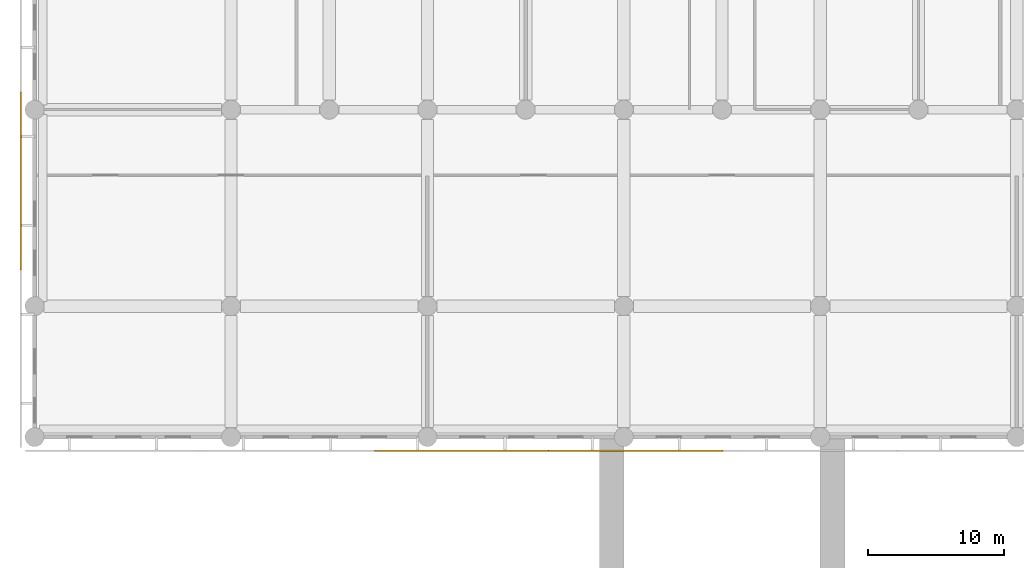
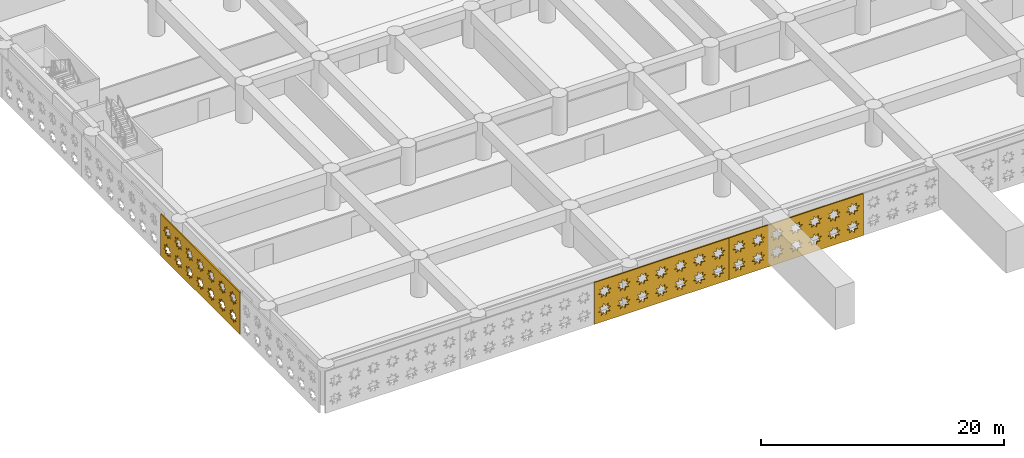
# One storey, part 12 of 23: 3 coverings.
"""IFC4 building model written with IfcOpenShell, lengths in metres."""

from ifc_helpers import new_model, si_unit, direction, frame, origin, place, context, subcontext, project, spatial, polyline, outline, extrude, material, layer, layer_set, type_object, element, save


model = new_model("IFC4")

# Units and contexts
model_context = context("Model", 3, precision=1e-05, world=origin(), true_north=direction((0.0, 1.0)))
body_context = subcontext(model_context, "Body", "Model", "MODEL_VIEW")
ifc_project = project(units=[si_unit("LENGTHUNIT", "METRE"), si_unit("AREAUNIT", "SQUARE_METRE"), si_unit("VOLUMEUNIT", "CUBIC_METRE"), si_unit("PLANEANGLEUNIT", "RADIAN"), si_unit("MASSUNIT", "GRAM", prefix="KILO")], contexts=[model_context])

# Site, building, storey
site_placement = place(None, origin())
site = spatial("IfcSite", under=ifc_project, at=site_placement, CompositionType="ELEMENT")
building_placement = place(site_placement, origin())
building = spatial("IfcBuilding", under=site, at=building_placement, Name="Saffron Iwan Residences", CompositionType="ELEMENT")
storey_placement = place(building_placement, frame((0.0, 0.0, 17.39990234375)))
storey = spatial("IfcBuildingStorey", under=building, at=storey_placement, Name="L03", CompositionType="ELEMENT", Elevation=17.39990234375)

# Coverings
ifc_material = material(Name="Terracotta screen, precast concrete C40/50", Category="masonry")
ifc_layer = layer(ifc_material, 0.1201171875)
ifc_layer_set = layer_set([ifc_layer], Name="Terracotta screen, precast concrete C40/50")
covering_type = type_object("IfcCoveringType", Name="PODIUM SCREEN GIRIH", PredefinedType="CLADDING", material=ifc_layer_set)
covering_1_placement = place(storey_placement, frame((24.905029296875, 8.64990234375, -0.39990234375), z_axis=(0.0, -1.0, 0.0), x_axis=(1.0, 0.0, 0.0)))
element("IfcCovering", 1, at=covering_1_placement, inside=storey, type_object=covering_type, Name="SCREEN girih terracotta L03 F0.2", PredefinedType="CLADDING", context=body_context, shape_type="SweptSolid", body=[
    extrude(outline(polyline([(0.0, 0.0), (12.777587890625, 0.0), (12.777587890625, 4.199951171875), (0.0, 4.199951171875), (0.0, 0.0)]), holes=[polyline([(1.5966796875, 1.321044921875), (1.271484375, 1.388916015625), (1.333251953125, 1.715576171875), (1.05517578125, 1.533447265625), (0.867919921875, 1.80810546875), (0.7998046875, 1.482666015625), (0.47314453125, 1.54443359375), (0.6552734375, 1.266357421875), (0.380615234375, 1.0791015625), (0.7060546875, 1.010986328125), (0.644287109375, 0.6845703125), (0.92236328125, 0.866455078125), (1.109619140625, 0.591796875), (1.177490234375, 0.917236328125), (1.50439453125, 0.85546875), (1.322265625, 1.1337890625), (1.5966796875, 1.321044921875)]), polyline([(1.5966796875, 3.12109375), (1.271484375, 3.18896484375), (1.333251953125, 3.515380859375), (1.05517578125, 3.33349609375), (0.867919921875, 3.608154296875), (0.7998046875, 3.28271484375), (0.47314453125, 3.344482421875), (0.6552734375, 3.06640625), (0.380615234375, 2.87890625), (0.7060546875, 2.81103515625), (0.644287109375, 2.484619140625), (0.92236328125, 2.66650390625), (1.109619140625, 2.391845703125), (1.177490234375, 2.71728515625), (1.50439453125, 2.655517578125), (1.322265625, 2.93359375), (1.5966796875, 3.12109375)]), polyline([(3.396728515625, 1.321044921875), (3.0712890625, 1.388916015625), (3.13330078125, 1.715576171875), (2.85498046875, 1.533447265625), (2.667724609375, 1.80810546875), (2.599853515625, 1.482666015625), (2.273193359375, 1.54443359375), (2.455322265625, 1.266357421875), (2.1806640625, 1.0791015625), (2.506103515625, 1.010986328125), (2.4443359375, 0.6845703125), (2.722412109375, 0.866455078125), (2.90966796875, 0.591796875), (2.9775390625, 0.917236328125), (3.30419921875, 0.85546875), (3.122314453125, 1.1337890625), (3.396728515625, 1.321044921875)]), polyline([(3.396728515625, 3.12109375), (3.0712890625, 3.18896484375), (3.13330078125, 3.515380859375), (2.85498046875, 3.33349609375), (2.667724609375, 3.608154296875), (2.599853515625, 3.28271484375), (2.273193359375, 3.344482421875), (2.455322265625, 3.06640625), (2.1806640625, 2.87890625), (2.506103515625, 2.81103515625), (2.4443359375, 2.484619140625), (2.722412109375, 2.66650390625), (2.90966796875, 2.391845703125), (2.9775390625, 2.71728515625), (3.30419921875, 2.655517578125), (3.122314453125, 2.93359375), (3.396728515625, 3.12109375)]), polyline([(5.19677734375, 1.321044921875), (4.871337890625, 1.388916015625), (4.93310546875, 1.715576171875), (4.655029296875, 1.533447265625), (4.4677734375, 1.80810546875), (4.39990234375, 1.482666015625), (4.0732421875, 1.54443359375), (4.25537109375, 1.266357421875), (3.980712890625, 1.0791015625), (4.30615234375, 1.010986328125), (4.244384765625, 0.6845703125), (4.5224609375, 0.866455078125), (4.709716796875, 0.591796875), (4.777587890625, 0.917236328125), (5.104248046875, 0.85546875), (4.922119140625, 1.1337890625), (5.19677734375, 1.321044921875)]), polyline([(5.19677734375, 3.12109375), (4.871337890625, 3.18896484375), (4.93310546875, 3.515380859375), (4.655029296875, 3.33349609375), (4.4677734375, 3.608154296875), (4.39990234375, 3.28271484375), (4.0732421875, 3.344482421875), (4.25537109375, 3.06640625), (3.980712890625, 2.87890625), (4.30615234375, 2.81103515625), (4.244384765625, 2.484619140625), (4.5224609375, 2.66650390625), (4.709716796875, 2.391845703125), (4.777587890625, 2.71728515625), (5.104248046875, 2.655517578125), (4.922119140625, 2.93359375), (5.19677734375, 3.12109375)]), polyline([(6.996826171875, 1.321044921875), (6.67138671875, 1.388916015625), (6.733154296875, 1.715576171875), (6.455078125, 1.533447265625), (6.267822265625, 1.80810546875), (6.199951171875, 1.482666015625), (5.873291015625, 1.54443359375), (6.055419921875, 1.266357421875), (5.78076171875, 1.0791015625), (6.106201171875, 1.010986328125), (6.044189453125, 0.6845703125), (6.322509765625, 0.866455078125), (6.509765625, 0.591796875), (6.57763671875, 0.917236328125), (6.904296875, 0.85546875), (6.72216796875, 1.1337890625), (6.996826171875, 1.321044921875)]), polyline([(6.996826171875, 3.12109375), (6.67138671875, 3.18896484375), (6.733154296875, 3.515380859375), (6.455078125, 3.33349609375), (6.267822265625, 3.608154296875), (6.199951171875, 3.28271484375), (5.873291015625, 3.344482421875), (6.055419921875, 3.06640625), (5.78076171875, 2.87890625), (6.106201171875, 2.81103515625), (6.044189453125, 2.484619140625), (6.322509765625, 2.66650390625), (6.509765625, 2.391845703125), (6.57763671875, 2.71728515625), (6.904296875, 2.655517578125), (6.72216796875, 2.93359375), (6.996826171875, 3.12109375)]), polyline([(8.796875, 1.321044921875), (8.471435546875, 1.388916015625), (8.533203125, 1.715576171875), (8.255126953125, 1.533447265625), (8.06787109375, 1.80810546875), (8.0, 1.482666015625), (7.673095703125, 1.54443359375), (7.855224609375, 1.266357421875), (7.580810546875, 1.0791015625), (7.906005859375, 1.010986328125), (7.84423828125, 0.6845703125), (8.122314453125, 0.866455078125), (8.309814453125, 0.591796875), (8.377685546875, 0.917236328125), (8.704345703125, 0.85546875), (8.522216796875, 1.1337890625), (8.796875, 1.321044921875)]), polyline([(8.796875, 3.12109375), (8.471435546875, 3.18896484375), (8.533203125, 3.515380859375), (8.255126953125, 3.33349609375), (8.06787109375, 3.608154296875), (8.0, 3.28271484375), (7.673095703125, 3.344482421875), (7.855224609375, 3.06640625), (7.580810546875, 2.87890625), (7.906005859375, 2.81103515625), (7.84423828125, 2.484619140625), (8.122314453125, 2.66650390625), (8.309814453125, 2.391845703125), (8.377685546875, 2.71728515625), (8.704345703125, 2.655517578125), (8.522216796875, 2.93359375), (8.796875, 3.12109375)]), polyline([(10.5966796875, 1.321044921875), (10.271484375, 1.388916015625), (10.333251953125, 1.715576171875), (10.05517578125, 1.533447265625), (9.867919921875, 1.80810546875), (9.7998046875, 1.482666015625), (9.47314453125, 1.54443359375), (9.6552734375, 1.266357421875), (9.380615234375, 1.0791015625), (9.7060546875, 1.010986328125), (9.644287109375, 0.6845703125), (9.92236328125, 0.866455078125), (10.109619140625, 0.591796875), (10.177490234375, 0.917236328125), (10.50439453125, 0.85546875), (10.322265625, 1.1337890625), (10.5966796875, 1.321044921875)]), polyline([(10.5966796875, 3.12109375), (10.271484375, 3.18896484375), (10.333251953125, 3.515380859375), (10.05517578125, 3.33349609375), (9.867919921875, 3.608154296875), (9.7998046875, 3.28271484375), (9.47314453125, 3.344482421875), (9.6552734375, 3.06640625), (9.380615234375, 2.87890625), (9.7060546875, 2.81103515625), (9.644287109375, 2.484619140625), (9.92236328125, 2.66650390625), (10.109619140625, 2.391845703125), (10.177490234375, 2.71728515625), (10.50439453125, 2.655517578125), (10.322265625, 2.93359375), (10.5966796875, 3.12109375)]), polyline([(12.396728515625, 1.321044921875), (12.0712890625, 1.388916015625), (12.13330078125, 1.715576171875), (11.85498046875, 1.533447265625), (11.667724609375, 1.80810546875), (11.599853515625, 1.482666015625), (11.273193359375, 1.54443359375), (11.455322265625, 1.266357421875), (11.1806640625, 1.0791015625), (11.506103515625, 1.010986328125), (11.4443359375, 0.6845703125), (11.722412109375, 0.866455078125), (11.90966796875, 0.591796875), (11.9775390625, 0.917236328125), (12.30419921875, 0.85546875), (12.122314453125, 1.1337890625), (12.396728515625, 1.321044921875)]), polyline([(12.396728515625, 3.12109375), (12.0712890625, 3.18896484375), (12.13330078125, 3.515380859375), (11.85498046875, 3.33349609375), (11.667724609375, 3.608154296875), (11.599853515625, 3.28271484375), (11.273193359375, 3.344482421875), (11.455322265625, 3.06640625), (11.1806640625, 2.87890625), (11.506103515625, 2.81103515625), (11.4443359375, 2.484619140625), (11.722412109375, 2.66650390625), (11.90966796875, 2.391845703125), (11.9775390625, 2.71728515625), (12.30419921875, 2.655517578125), (12.122314453125, 2.93359375), (12.396728515625, 3.12109375)])]), origin(), (0.0, 0.0, 1.0), 0.119873046875),
])
covering_2_placement = place(storey_placement, frame((37.6826171875, 8.64990234375, -0.39990234375), z_axis=(0.0, -1.0, 0.0), x_axis=(1.0, 0.0, 0.0)))
element("IfcCovering", 2, at=covering_2_placement, inside=storey, type_object=covering_type, Name="SCREEN girih terracotta L03 F0.3", PredefinedType="CLADDING", context=body_context, shape_type="SweptSolid", body=[
    extrude(outline(polyline([(0.0, 0.0), (12.777587890625, 0.0), (12.777587890625, 4.199951171875), (0.0, 4.199951171875), (0.0, 0.0)]), holes=[polyline([(1.5966796875, 1.321044921875), (1.271484375, 1.388916015625), (1.333251953125, 1.715576171875), (1.05517578125, 1.533447265625), (0.867919921875, 1.80810546875), (0.7998046875, 1.482666015625), (0.47314453125, 1.54443359375), (0.6552734375, 1.266357421875), (0.380615234375, 1.0791015625), (0.7060546875, 1.010986328125), (0.644287109375, 0.6845703125), (0.92236328125, 0.866455078125), (1.109619140625, 0.591796875), (1.177490234375, 0.917236328125), (1.50439453125, 0.85546875), (1.322265625, 1.1337890625), (1.5966796875, 1.321044921875)]), polyline([(1.5966796875, 3.12109375), (1.271484375, 3.18896484375), (1.333251953125, 3.515380859375), (1.05517578125, 3.33349609375), (0.867919921875, 3.608154296875), (0.7998046875, 3.28271484375), (0.47314453125, 3.344482421875), (0.6552734375, 3.06640625), (0.380615234375, 2.87890625), (0.7060546875, 2.81103515625), (0.644287109375, 2.484619140625), (0.92236328125, 2.66650390625), (1.109619140625, 2.391845703125), (1.177490234375, 2.71728515625), (1.50439453125, 2.655517578125), (1.322265625, 2.93359375), (1.5966796875, 3.12109375)]), polyline([(3.396728515625, 1.321044921875), (3.0712890625, 1.388916015625), (3.13330078125, 1.715576171875), (2.85498046875, 1.533447265625), (2.667724609375, 1.80810546875), (2.599853515625, 1.482666015625), (2.273193359375, 1.54443359375), (2.455322265625, 1.266357421875), (2.1806640625, 1.0791015625), (2.506103515625, 1.010986328125), (2.4443359375, 0.6845703125), (2.722412109375, 0.866455078125), (2.90966796875, 0.591796875), (2.9775390625, 0.917236328125), (3.30419921875, 0.85546875), (3.122314453125, 1.1337890625), (3.396728515625, 1.321044921875)]), polyline([(3.396728515625, 3.12109375), (3.0712890625, 3.18896484375), (3.13330078125, 3.515380859375), (2.85498046875, 3.33349609375), (2.667724609375, 3.608154296875), (2.599853515625, 3.28271484375), (2.273193359375, 3.344482421875), (2.455322265625, 3.06640625), (2.1806640625, 2.87890625), (2.506103515625, 2.81103515625), (2.4443359375, 2.484619140625), (2.722412109375, 2.66650390625), (2.90966796875, 2.391845703125), (2.9775390625, 2.71728515625), (3.30419921875, 2.655517578125), (3.122314453125, 2.93359375), (3.396728515625, 3.12109375)]), polyline([(5.19677734375, 1.321044921875), (4.871337890625, 1.388916015625), (4.93310546875, 1.715576171875), (4.655029296875, 1.533447265625), (4.4677734375, 1.80810546875), (4.39990234375, 1.482666015625), (4.0732421875, 1.54443359375), (4.25537109375, 1.266357421875), (3.980712890625, 1.0791015625), (4.30615234375, 1.010986328125), (4.244384765625, 0.6845703125), (4.5224609375, 0.866455078125), (4.709716796875, 0.591796875), (4.777587890625, 0.917236328125), (5.104248046875, 0.85546875), (4.922119140625, 1.1337890625), (5.19677734375, 1.321044921875)]), polyline([(5.19677734375, 3.12109375), (4.871337890625, 3.18896484375), (4.93310546875, 3.515380859375), (4.655029296875, 3.33349609375), (4.4677734375, 3.608154296875), (4.39990234375, 3.28271484375), (4.0732421875, 3.344482421875), (4.25537109375, 3.06640625), (3.980712890625, 2.87890625), (4.30615234375, 2.81103515625), (4.244384765625, 2.484619140625), (4.5224609375, 2.66650390625), (4.709716796875, 2.391845703125), (4.777587890625, 2.71728515625), (5.104248046875, 2.655517578125), (4.922119140625, 2.93359375), (5.19677734375, 3.12109375)]), polyline([(6.996826171875, 1.321044921875), (6.67138671875, 1.388916015625), (6.733154296875, 1.715576171875), (6.455078125, 1.533447265625), (6.267822265625, 1.80810546875), (6.199951171875, 1.482666015625), (5.873291015625, 1.54443359375), (6.055419921875, 1.266357421875), (5.78076171875, 1.0791015625), (6.106201171875, 1.010986328125), (6.044189453125, 0.6845703125), (6.322509765625, 0.866455078125), (6.509765625, 0.591796875), (6.57763671875, 0.917236328125), (6.904296875, 0.85546875), (6.72216796875, 1.1337890625), (6.996826171875, 1.321044921875)]), polyline([(6.996826171875, 3.12109375), (6.67138671875, 3.18896484375), (6.733154296875, 3.515380859375), (6.455078125, 3.33349609375), (6.267822265625, 3.608154296875), (6.199951171875, 3.28271484375), (5.873291015625, 3.344482421875), (6.055419921875, 3.06640625), (5.78076171875, 2.87890625), (6.106201171875, 2.81103515625), (6.044189453125, 2.484619140625), (6.322509765625, 2.66650390625), (6.509765625, 2.391845703125), (6.57763671875, 2.71728515625), (6.904296875, 2.655517578125), (6.72216796875, 2.93359375), (6.996826171875, 3.12109375)]), polyline([(8.796875, 1.321044921875), (8.471435546875, 1.388916015625), (8.533203125, 1.715576171875), (8.255126953125, 1.533447265625), (8.06787109375, 1.80810546875), (8.0, 1.482666015625), (7.673095703125, 1.54443359375), (7.855224609375, 1.266357421875), (7.580810546875, 1.0791015625), (7.906005859375, 1.010986328125), (7.84423828125, 0.6845703125), (8.122314453125, 0.866455078125), (8.309814453125, 0.591796875), (8.377685546875, 0.917236328125), (8.704345703125, 0.85546875), (8.522216796875, 1.1337890625), (8.796875, 1.321044921875)]), polyline([(8.796875, 3.12109375), (8.471435546875, 3.18896484375), (8.533203125, 3.515380859375), (8.255126953125, 3.33349609375), (8.06787109375, 3.608154296875), (8.0, 3.28271484375), (7.673095703125, 3.344482421875), (7.855224609375, 3.06640625), (7.580810546875, 2.87890625), (7.906005859375, 2.81103515625), (7.84423828125, 2.484619140625), (8.122314453125, 2.66650390625), (8.309814453125, 2.391845703125), (8.377685546875, 2.71728515625), (8.704345703125, 2.655517578125), (8.522216796875, 2.93359375), (8.796875, 3.12109375)]), polyline([(10.5966796875, 1.321044921875), (10.271484375, 1.388916015625), (10.333251953125, 1.715576171875), (10.05517578125, 1.533447265625), (9.867919921875, 1.80810546875), (9.7998046875, 1.482666015625), (9.47314453125, 1.54443359375), (9.6552734375, 1.266357421875), (9.380615234375, 1.0791015625), (9.7060546875, 1.010986328125), (9.644287109375, 0.6845703125), (9.92236328125, 0.866455078125), (10.109619140625, 0.591796875), (10.177490234375, 0.917236328125), (10.50439453125, 0.85546875), (10.322265625, 1.1337890625), (10.5966796875, 1.321044921875)]), polyline([(10.5966796875, 3.12109375), (10.271484375, 3.18896484375), (10.333251953125, 3.515380859375), (10.05517578125, 3.33349609375), (9.867919921875, 3.608154296875), (9.7998046875, 3.28271484375), (9.47314453125, 3.344482421875), (9.6552734375, 3.06640625), (9.380615234375, 2.87890625), (9.7060546875, 2.81103515625), (9.644287109375, 2.484619140625), (9.92236328125, 2.66650390625), (10.109619140625, 2.391845703125), (10.177490234375, 2.71728515625), (10.50439453125, 2.655517578125), (10.322265625, 2.93359375), (10.5966796875, 3.12109375)]), polyline([(12.396728515625, 1.321044921875), (12.0712890625, 1.388916015625), (12.13330078125, 1.715576171875), (11.85498046875, 1.533447265625), (11.667724609375, 1.80810546875), (11.599853515625, 1.482666015625), (11.273193359375, 1.54443359375), (11.455322265625, 1.266357421875), (11.1806640625, 1.0791015625), (11.506103515625, 1.010986328125), (11.4443359375, 0.6845703125), (11.722412109375, 0.866455078125), (11.90966796875, 0.591796875), (11.9775390625, 0.917236328125), (12.30419921875, 0.85546875), (12.122314453125, 1.1337890625), (12.396728515625, 1.321044921875)]), polyline([(12.396728515625, 3.12109375), (12.0712890625, 3.18896484375), (12.13330078125, 3.515380859375), (11.85498046875, 3.33349609375), (11.667724609375, 3.608154296875), (11.599853515625, 3.28271484375), (11.273193359375, 3.344482421875), (11.455322265625, 3.06640625), (11.1806640625, 2.87890625), (11.506103515625, 2.81103515625), (11.4443359375, 2.484619140625), (11.722412109375, 2.66650390625), (11.90966796875, 2.391845703125), (11.9775390625, 2.71728515625), (12.30419921875, 2.655517578125), (12.122314453125, 2.93359375), (12.396728515625, 3.12109375)])]), origin(), (0.0, 0.0, 1.0), 0.119873046875),
])
covering_3_placement = place(storey_placement, frame((-0.949951171875, 34.9033203125, -0.39990234375), z_axis=(-1.0, 0.0, 0.0), x_axis=(0.0, -1.0, 0.0)))
element("IfcCovering", 3, at=covering_3_placement, inside=storey, type_object=covering_type, Name="SCREEN girih terracotta L03 F3.4", PredefinedType="CLADDING", context=body_context, shape_type="SweptSolid", body=[
    extrude(outline(polyline([(0.0, 0.0), (13.03662109375, 0.0), (13.03662109375, 4.199951171875), (0.0, 4.199951171875), (0.0, 0.0)]), holes=[polyline([(1.726318359375, 1.321044921875), (1.40087890625, 1.388916015625), (1.462890625, 1.715576171875), (1.184814453125, 1.533447265625), (0.997314453125, 1.80810546875), (0.929443359375, 1.482666015625), (0.602783203125, 1.54443359375), (0.784912109375, 1.266357421875), (0.51025390625, 1.0791015625), (0.835693359375, 1.010986328125), (0.77392578125, 0.6845703125), (1.052001953125, 0.866455078125), (1.2392578125, 0.591796875), (1.30712890625, 0.917236328125), (1.6337890625, 0.85546875), (1.451904296875, 1.1337890625), (1.726318359375, 1.321044921875)]), polyline([(1.726318359375, 3.12109375), (1.40087890625, 3.18896484375), (1.462890625, 3.515380859375), (1.184814453125, 3.33349609375), (0.997314453125, 3.608154296875), (0.929443359375, 3.28271484375), (0.602783203125, 3.344482421875), (0.784912109375, 3.06640625), (0.51025390625, 2.87890625), (0.835693359375, 2.81103515625), (0.77392578125, 2.484619140625), (1.052001953125, 2.66650390625), (1.2392578125, 2.391845703125), (1.30712890625, 2.71728515625), (1.6337890625, 2.655517578125), (1.451904296875, 2.93359375), (1.726318359375, 3.12109375)]), polyline([(3.5263671875, 1.321044921875), (3.200927734375, 1.388916015625), (3.2626953125, 1.715576171875), (2.984619140625, 1.533447265625), (2.79736328125, 1.80810546875), (2.7294921875, 1.482666015625), (2.40283203125, 1.54443359375), (2.5849609375, 1.266357421875), (2.310302734375, 1.0791015625), (2.635498046875, 1.010986328125), (2.573974609375, 0.6845703125), (2.85205078125, 0.866455078125), (3.039306640625, 0.591796875), (3.107177734375, 0.917236328125), (3.433837890625, 0.85546875), (3.251708984375, 1.1337890625), (3.5263671875, 1.321044921875)]), polyline([(3.5263671875, 3.12109375), (3.200927734375, 3.18896484375), (3.2626953125, 3.515380859375), (2.984619140625, 3.33349609375), (2.79736328125, 3.608154296875), (2.7294921875, 3.28271484375), (2.40283203125, 3.344482421875), (2.5849609375, 3.06640625), (2.310302734375, 2.87890625), (2.635498046875, 2.81103515625), (2.573974609375, 2.484619140625), (2.85205078125, 2.66650390625), (3.039306640625, 2.391845703125), (3.107177734375, 2.71728515625), (3.433837890625, 2.655517578125), (3.251708984375, 2.93359375), (3.5263671875, 3.12109375)]), polyline([(5.326416015625, 1.321044921875), (5.0009765625, 1.388916015625), (5.062744140625, 1.715576171875), (4.78466796875, 1.533447265625), (4.597412109375, 1.80810546875), (4.529296875, 1.482666015625), (4.202880859375, 1.54443359375), (4.385009765625, 1.266357421875), (4.110107421875, 1.0791015625), (4.435546875, 1.010986328125), (4.373779296875, 0.6845703125), (4.652099609375, 0.866455078125), (4.83935546875, 0.591796875), (4.9072265625, 0.917236328125), (5.23388671875, 0.85546875), (5.0517578125, 1.1337890625), (5.326416015625, 1.321044921875)]), polyline([(5.326416015625, 3.12109375), (5.0009765625, 3.18896484375), (5.062744140625, 3.515380859375), (4.78466796875, 3.33349609375), (4.597412109375, 3.608154296875), (4.529296875, 3.28271484375), (4.202880859375, 3.344482421875), (4.385009765625, 3.06640625), (4.110107421875, 2.87890625), (4.435546875, 2.81103515625), (4.373779296875, 2.484619140625), (4.652099609375, 2.66650390625), (4.83935546875, 2.391845703125), (4.9072265625, 2.71728515625), (5.23388671875, 2.655517578125), (5.0517578125, 2.93359375), (5.326416015625, 3.12109375)]), polyline([(7.12646484375, 1.321044921875), (6.801025390625, 1.388916015625), (6.86279296875, 1.715576171875), (6.584716796875, 1.533447265625), (6.3974609375, 1.80810546875), (6.329345703125, 1.482666015625), (6.002685546875, 1.54443359375), (6.184814453125, 1.266357421875), (5.91015625, 1.0791015625), (6.235595703125, 1.010986328125), (6.173828125, 0.6845703125), (6.451904296875, 0.866455078125), (6.639404296875, 0.591796875), (6.707275390625, 0.917236328125), (7.03369140625, 0.85546875), (6.851806640625, 1.1337890625), (7.12646484375, 1.321044921875)]), polyline([(7.12646484375, 3.12109375), (6.801025390625, 3.18896484375), (6.86279296875, 3.515380859375), (6.584716796875, 3.33349609375), (6.3974609375, 3.608154296875), (6.329345703125, 3.28271484375), (6.002685546875, 3.344482421875), (6.184814453125, 3.06640625), (5.91015625, 2.87890625), (6.235595703125, 2.81103515625), (6.173828125, 2.484619140625), (6.451904296875, 2.66650390625), (6.639404296875, 2.391845703125), (6.707275390625, 2.71728515625), (7.03369140625, 2.655517578125), (6.851806640625, 2.93359375), (7.12646484375, 3.12109375)]), polyline([(8.926513671875, 1.321044921875), (8.60107421875, 1.388916015625), (8.662841796875, 1.715576171875), (8.384765625, 1.533447265625), (8.197509765625, 1.80810546875), (8.12939453125, 1.482666015625), (7.802734375, 1.54443359375), (7.98486328125, 1.266357421875), (7.710205078125, 1.0791015625), (8.03564453125, 1.010986328125), (7.973876953125, 0.6845703125), (8.251953125, 0.866455078125), (8.439208984375, 0.591796875), (8.507080078125, 0.917236328125), (8.833740234375, 0.85546875), (8.65185546875, 1.1337890625), (8.926513671875, 1.321044921875)]), polyline([(8.926513671875, 3.12109375), (8.60107421875, 3.18896484375), (8.662841796875, 3.515380859375), (8.384765625, 3.33349609375), (8.197509765625, 3.608154296875), (8.12939453125, 3.28271484375), (7.802734375, 3.344482421875), (7.98486328125, 3.06640625), (7.710205078125, 2.87890625), (8.03564453125, 2.81103515625), (7.973876953125, 2.484619140625), (8.251953125, 2.66650390625), (8.439208984375, 2.391845703125), (8.507080078125, 2.71728515625), (8.833740234375, 2.655517578125), (8.65185546875, 2.93359375), (8.926513671875, 3.12109375)]), polyline([(10.726318359375, 1.321044921875), (10.40087890625, 1.388916015625), (10.462890625, 1.715576171875), (10.184814453125, 1.533447265625), (9.997314453125, 1.80810546875), (9.929443359375, 1.482666015625), (9.602783203125, 1.54443359375), (9.784912109375, 1.266357421875), (9.51025390625, 1.0791015625), (9.835693359375, 1.010986328125), (9.77392578125, 0.6845703125), (10.052001953125, 0.866455078125), (10.2392578125, 0.591796875), (10.30712890625, 0.917236328125), (10.6337890625, 0.85546875), (10.451904296875, 1.1337890625), (10.726318359375, 1.321044921875)]), polyline([(10.726318359375, 3.12109375), (10.40087890625, 3.18896484375), (10.462890625, 3.515380859375), (10.184814453125, 3.33349609375), (9.997314453125, 3.608154296875), (9.929443359375, 3.28271484375), (9.602783203125, 3.344482421875), (9.784912109375, 3.06640625), (9.51025390625, 2.87890625), (9.835693359375, 2.81103515625), (9.77392578125, 2.484619140625), (10.052001953125, 2.66650390625), (10.2392578125, 2.391845703125), (10.30712890625, 2.71728515625), (10.6337890625, 2.655517578125), (10.451904296875, 2.93359375), (10.726318359375, 3.12109375)]), polyline([(12.5263671875, 1.321044921875), (12.200927734375, 1.388916015625), (12.2626953125, 1.715576171875), (11.984619140625, 1.533447265625), (11.79736328125, 1.80810546875), (11.7294921875, 1.482666015625), (11.40283203125, 1.54443359375), (11.5849609375, 1.266357421875), (11.310302734375, 1.0791015625), (11.635498046875, 1.010986328125), (11.573974609375, 0.6845703125), (11.85205078125, 0.866455078125), (12.039306640625, 0.591796875), (12.107177734375, 0.917236328125), (12.433837890625, 0.85546875), (12.251708984375, 1.1337890625), (12.5263671875, 1.321044921875)]), polyline([(12.5263671875, 3.12109375), (12.200927734375, 3.18896484375), (12.2626953125, 3.515380859375), (11.984619140625, 3.33349609375), (11.79736328125, 3.608154296875), (11.7294921875, 3.28271484375), (11.40283203125, 3.344482421875), (11.5849609375, 3.06640625), (11.310302734375, 2.87890625), (11.635498046875, 2.81103515625), (11.573974609375, 2.484619140625), (11.85205078125, 2.66650390625), (12.039306640625, 2.391845703125), (12.107177734375, 2.71728515625), (12.433837890625, 2.655517578125), (12.251708984375, 2.93359375), (12.5263671875, 3.12109375)])]), origin(), (0.0, 0.0, 1.0), 0.1201171875),
])

save(model, "model.ifc")
